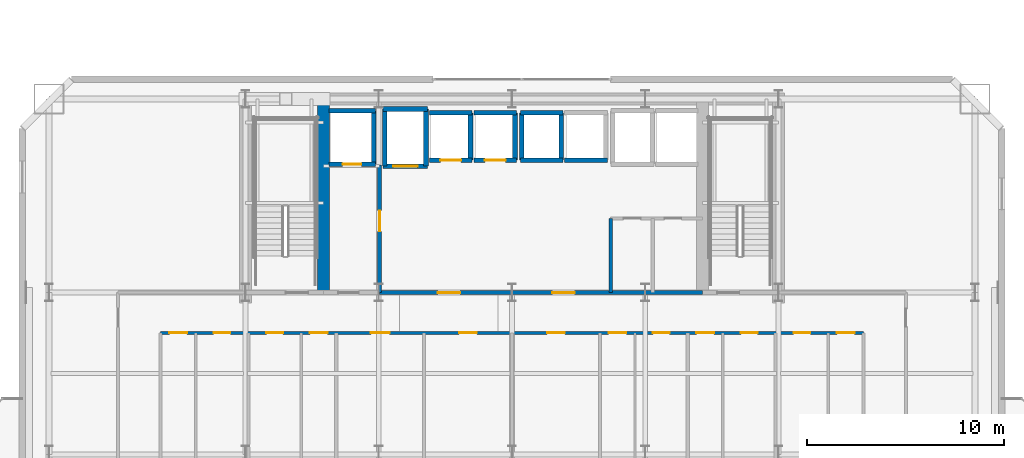
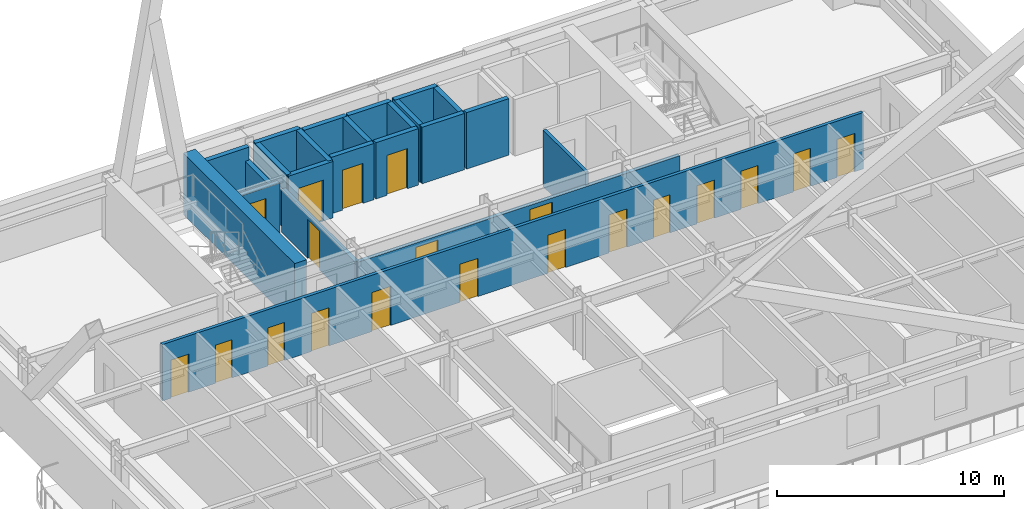
# One storey, part 11 of 22: 23 walls, 20 doors, 20 openings.
"""IFC4 building model written with IfcOpenShell, lengths in metres."""

import ifcopenshell
import ifcopenshell.guid

model = None  # the IFC model being written
_history = None  # IfcOwnerHistory: only IFC2X3 demands one
_inside = {}  # id of a spatial element -> (the spatial element, [elements in it])
_under = {}  # id of a project, library or spatial element -> (it, [spatial elements below it])
_declared = {}  # id of a project -> (the project, [libraries it declares])
_typed = {}  # id of a type object -> (the type object, [elements of that type])
_made_of = {}  # id of a material, layer set ... -> (it, [elements and type objects made of it])


def new_model(schema):
    """Start an empty IFC model of exactly this schema.

    Asked for "IFC4X3", IfcOpenShell would pick the latest addendum, in which some entities
    have other attributes; the version numbers below select the first issue.
    IFC2X3 requires an IfcOwnerHistory on every rooted entity: one is made here for all.
    """
    global model, _history
    if schema == "IFC4X3":
        model = ifcopenshell.file(schema_version=(4, 3, 0, 0))
    else:
        model = ifcopenshell.file(schema=schema)
    _inside.clear()
    _under.clear()
    _declared.clear()
    _typed.clear()
    _made_of.clear()
    _history = None
    if model.schema == "IFC2X3":
        org = make("IfcOrganization", Name="unknown")
        user = make(
            "IfcPersonAndOrganization",
            ThePerson=make("IfcPerson", FamilyName="unknown"),
            TheOrganization=org,
        )
        app = make(
            "IfcApplication",
            ApplicationDeveloper=org,
            Version="unknown",
            ApplicationFullName="unknown",
            ApplicationIdentifier="unknown",
        )
        _history = make(
            "IfcOwnerHistory",
            OwningUser=user,
            OwningApplication=app,
            ChangeAction="ADDED",
            CreationDate=0,
        )
    return model


def make(cls, **values):
    """One entity of the class cls with the attributes given. An attribute that is None is left unset."""
    return model.create_entity(
        cls, **{name: value for name, value in values.items() if value is not None}
    )


def rooted(cls, **values):
    """An entity with a GlobalId (a new one), such as an element, a storey or a relation."""
    return make(cls, GlobalId=ifcopenshell.guid.new(), OwnerHistory=_history, **values)


def si_unit(unit_type, name, prefix=None):
    """IfcSIUnit, for example si_unit("LENGTHUNIT", "METRE", prefix="MILLI")."""
    return make("IfcSIUnit", UnitType=unit_type, Prefix=prefix, Name=name)


def assignment(units):
    """IfcUnitAssignment: the units of a project."""
    return None if units is None else make("IfcUnitAssignment", Units=units)


def point(xyz):
    """IfcCartesianPoint."""
    return None if xyz is None else make("IfcCartesianPoint", Coordinates=xyz)


def direction(xyz):
    """IfcDirection."""
    return None if xyz is None else make("IfcDirection", DirectionRatios=xyz)


def frame(location, z_axis=None, x_axis=None):
    """IfcAxis2Placement3D, a coordinate frame: its origin and axes. An axis left out is left unset."""
    return make(
        "IfcAxis2Placement3D",
        Location=point(location),
        Axis=direction(z_axis),
        RefDirection=direction(x_axis),
    )


def frame_2d(location, x_axis=None):
    """IfcAxis2Placement2D, a coordinate frame in the plane: its origin and x axis."""
    return make(
        "IfcAxis2Placement2D", Location=point(location), RefDirection=direction(x_axis)
    )


def origin():
    """The frame at (0, 0, 0) with its axes left unset."""
    return frame((0.0, 0.0, 0.0))


def place(relative_to, where):
    """IfcLocalPlacement: puts the frame where relative to a parent placement (None: the world)."""
    return make(
        "IfcLocalPlacement", PlacementRelTo=relative_to, RelativePlacement=where
    )


def context(
    kind, dimensions, precision=None, world=None, true_north=None, identifier=None
):
    """IfcGeometricRepresentationContext, for example the 3D "Model" context."""
    return make(
        "IfcGeometricRepresentationContext",
        ContextIdentifier=identifier,
        ContextType=kind,
        CoordinateSpaceDimension=dimensions,
        Precision=precision,
        WorldCoordinateSystem=world,
        TrueNorth=true_north,
    )


def subcontext(parent, identifier, kind, view, scale=None):
    """IfcGeometricRepresentationSubContext, for example "Body" below "Model"."""
    return make(
        "IfcGeometricRepresentationSubContext",
        ContextIdentifier=identifier,
        ContextType=kind,
        ParentContext=parent,
        TargetScale=scale,
        TargetView=view,
    )


def project(units=None, contexts=None):
    """IfcProject with its units and contexts."""
    return rooted(
        "IfcProject",
        Name="project",
        RepresentationContexts=contexts,
        UnitsInContext=assignment(units),
    )


def spatial(cls, under=None, at=None, **own):
    """A site, building, storey or space (cls), placed at a placement, below another one or the project."""
    s = rooted(cls, ObjectPlacement=at, **own)
    if under is not None:
        _under.setdefault(under.id(), (under, []))[1].append(s)
    return s


def profile(cls, at=None, kind="AREA", **sizes):
    """A parametric profile (cls). Its sizes go by their IFC names, for example OverallWidth=200.0."""
    return make(cls, ProfileType=kind, Position=at, **sizes)


def rectangle(**sizes):
    """IfcRectangleProfileDef."""
    return profile("IfcRectangleProfileDef", **sizes)


def extrude(swept, where, along, depth):
    """IfcExtrudedAreaSolid: the profile swept, set in the frame where, extruded along a direction by depth."""
    return make(
        "IfcExtrudedAreaSolid",
        SweptArea=swept,
        Position=where,
        ExtrudedDirection=direction(along),
        Depth=depth,
    )


def shape(context_of_items, identifier, shape_type, items):
    """IfcShapeRepresentation: the items that make up one representation, for example the "Body"."""
    return make(
        "IfcShapeRepresentation",
        ContextOfItems=context_of_items,
        RepresentationIdentifier=identifier,
        RepresentationType=shape_type,
        Items=items,
    )


def material(Name=None, Category=None):
    """IfcMaterial."""
    return make("IfcMaterial", Name=Name, Category=Category)


def layer(
    of_material, thickness, ventilated=None, Name=None, Category=None, Priority=None
):
    """IfcMaterialLayer: one layer of a wall or slab, of a material (None: an air gap)."""
    return make(
        "IfcMaterialLayer",
        Material=of_material,
        LayerThickness=thickness,
        IsVentilated=ventilated,
        Name=Name,
        Category=Category,
        Priority=Priority,
    )


def layer_set(layers, Name=None):
    """IfcMaterialLayerSet."""
    return make("IfcMaterialLayerSet", MaterialLayers=layers, LayerSetName=Name)


def made_of(thing, what):
    """Note that an element or type object is made of a material, layer set ...; save() writes the relation."""
    if what is not None:
        _made_of.setdefault(what.id(), (what, []))[1].append(thing)
    return thing


def type_object(cls, material=None, **own):
    """A type object (cls), such as IfcWallType, which elements share."""
    return made_of(rooted(cls, **own), material)


def element(
    cls,
    number,
    at=None,
    inside=None,
    cuts=None,
    type_object=None,
    material=None,
    context=None,
    identifier="Body",
    shape_type=None,
    held_by="IfcProductDefinitionShape",
    body=None,
    shapes=None,
    **own,
):
    """One element of the class cls, such as IfcWall. Its Tag is "e" and its number.

    at: its placement. inside: the storey or other place that contains it. cuts: it is an
    opening in that element (IfcRelVoidsElement). A single representation is given by context,
    identifier, shape_type and body (its items); several are given by shapes. held_by: the class
    of the entity that holds the representations. save() writes the other relations.
    """
    e = rooted(cls, Tag="e%d" % number, ObjectPlacement=at, **own)
    if body is not None:
        shapes = [shape(context, identifier, shape_type, body)]
    if shapes is not None:
        e.Representation = make(held_by, Representations=shapes)
    if inside is not None:
        _inside.setdefault(inside.id(), (inside, []))[1].append(e)
    if cuts is not None:
        rooted(
            "IfcRelVoidsElement", RelatingBuildingElement=cuts, RelatedOpeningElement=e
        )
    if type_object is not None:
        _typed.setdefault(type_object.id(), (type_object, []))[1].append(e)
    return made_of(e, material)


def fill(opening, filler):
    """IfcRelFillsElement: the door or window that sits in an opening."""
    return rooted(
        "IfcRelFillsElement",
        RelatingOpeningElement=opening,
        RelatedBuildingElement=filler,
    )


def aggregate(whole, parts):
    """IfcRelAggregates: a whole, such as a stair, and the parts it consists of."""
    return rooted("IfcRelAggregates", RelatingObject=whole, RelatedObjects=parts)


def save(model, path):
    """Write the relations noted so far, then the file.

    IfcRelAggregates (storeys below a building ...), IfcRelContainedInSpatialStructure (elements
    in a storey), IfcRelDefinesByType, IfcRelAssociatesMaterial and IfcRelDeclares: one each for
    every whole, place, type object, material and project.
    """
    for whole, parts in _under.values():
        aggregate(whole, parts)
    for where, things in _inside.values():
        rooted(
            "IfcRelContainedInSpatialStructure",
            RelatedElements=things,
            RelatingStructure=where,
        )
    for kind, things in _typed.values():
        rooted("IfcRelDefinesByType", RelatedObjects=things, RelatingType=kind)
    for what, things in _made_of.values():
        rooted("IfcRelAssociatesMaterial", RelatedObjects=things, RelatingMaterial=what)
    for by, libraries in _declared.values():
        rooted("IfcRelDeclares", RelatingContext=by, RelatedDefinitions=libraries)
    model.write(path)


model = new_model("IFC4")

# Units and contexts
model_context = context("Model", 3, precision=1e-05, world=origin(), true_north=direction((0.0, 1.0)))
body_context = subcontext(model_context, "Body", "Model", "MODEL_VIEW")
ifc_project = project(units=[si_unit("LENGTHUNIT", "METRE"), si_unit("AREAUNIT", "SQUARE_METRE"), si_unit("VOLUMEUNIT", "CUBIC_METRE"), si_unit("PLANEANGLEUNIT", "RADIAN"), si_unit("MASSUNIT", "GRAM", prefix="KILO")], contexts=[model_context])

# Site, building, storey
site_placement = place(None, origin())
site = spatial("IfcSite", under=ifc_project, at=site_placement, CompositionType="ELEMENT")
building_placement = place(site_placement, origin())
building = spatial("IfcBuilding", under=site, at=building_placement, Name="Haevon Station Towers", CompositionType="ELEMENT")
storey_placement = place(building_placement, frame((0.0, 0.0, 70.199951171875)))
storey = spatial("IfcBuildingStorey", under=building, at=storey_placement, Name="L18", CompositionType="ELEMENT", Elevation=70.199951171875)

# Wall, opening, door
ifc_material_1 = material(Name="Gypsum board on steel stud", Category="steel")
ifc_layer_1 = layer(ifc_material_1, 0.199951171875)
ifc_layer_set_1 = layer_set([ifc_layer_1], Name="Gypsum board on steel stud")
wall_type_1 = type_object("IfcWallType", Name="WL-COR200", PredefinedType="PARTITIONING", material=ifc_layer_set_1)
wall_1_placement = place(storey_placement, frame((30.800048828125, 38.199951171875, 0.0), z_axis=(0.0, 0.0, 1.0), x_axis=(0.0, 1.0, 0.0)))
wall_1 = element("IfcWall", 1, at=wall_1_placement, inside=storey, type_object=wall_type_1, Name="WL-T1FFL-L18-E", PredefinedType="PARTITIONING", context=body_context, shape_type="SweptSolid", body=[
    extrude(rectangle(XDim=6.449951171875, YDim=0.199951171875, at=frame_2d((3.22509765625, 0.0))), origin(), (0.0, 0.0, 1.0), 2.330078125),
])
opening_1_placement = place(wall_1_placement, frame((3.10009765625, 0.0, 0.0)))
opening_1 = element("IfcOpeningElement", 2, at=opening_1_placement, cuts=wall_1, Name="Opening DR-T1FFL-L18-E", PredefinedType="OPENING", context=body_context, shape_type="SweptSolid", body=[
    extrude(rectangle(XDim=1.050048828125, YDim=2.10009765625, at=frame_2d((0.52490234375, 1.050048828125))), frame((0.0, 0.10986328125, 0.0), z_axis=(0.0, -1.0, 0.0), x_axis=(1.0, 0.0, 0.0)), (0.0, 0.0, 1.0), 0.219970703125),
])
ifc_material_2 = material(Name="Engineered oak timber", Category="wood")
door_type_1 = type_object("IfcDoorType", Name="DR-FD60-1050", OperationType="NOTDEFINED", PredefinedType="DOOR", material=ifc_material_2)
door_1_placement = place(opening_1_placement, origin())
door_1 = element("IfcDoor", 3, at=door_1_placement, inside=storey, type_object=door_type_1, Name="L18 Tower 1 Firefighting Lift Lobby Door E", OperationType="SINGLE_SWING_RIGHT", OverallHeight=2.10009765625, OverallWidth=1.050048828125, PredefinedType="DOOR", context=body_context, shape_type="SweptSolid", body=[
    extrude(rectangle(XDim=1.050048828125, YDim=2.10009765625, at=frame_2d((0.52490234375, 1.050048828125))), frame((0.0, 0.02490234375, 0.0), z_axis=(0.0, -1.0, 0.0), x_axis=(1.0, 0.0, 0.0)), (0.0, 0.0, 1.0), 0.050048828125),
])
fill(opening_1, door_1)

# Wall, openings, doors
wall_2_placement = place(storey_placement, frame((30.800048828125, 38.199951171875, 0.0), z_axis=(0.0, 0.0, 1.0), x_axis=(1.0, 0.0, 0.0)))
wall_2 = element("IfcWall", 4, at=wall_2_placement, inside=storey, type_object=wall_type_1, Name="WL-T1CLB-L18", PredefinedType="PARTITIONING", context=body_context, shape_type="SweptSolid", body=[
    extrude(rectangle(XDim=16.349853515625, YDim=0.199951171875, at=frame_2d((8.1748046875, 0.0))), origin(), (0.0, 0.0, 1.0), 2.330078125),
])
opening_2_placement = place(wall_2_placement, frame((2.949951171875, 0.0, 0.0)))
opening_2 = element("IfcOpeningElement", 5, at=opening_2_placement, cuts=wall_2, Name="Opening DR-T1CLB-L18-1", PredefinedType="OPENING", context=body_context, shape_type="SweptSolid", body=[
    extrude(rectangle(XDim=1.1201171875, YDim=2.10009765625, at=frame_2d((0.56005859375, 1.050048828125))), frame((0.0, 0.10986328125, 0.0), z_axis=(0.0, -1.0, 0.0), x_axis=(1.0, 0.0, 0.0)), (0.0, 0.0, 1.0), 0.219970703125),
])
opening_3_placement = place(wall_2_placement, frame((8.75, 0.0, 0.0)))
opening_3 = element("IfcOpeningElement", 6, at=opening_3_placement, cuts=wall_2, Name="Opening DR-T1CLB-L18-2", PredefinedType="OPENING", context=body_context, shape_type="SweptSolid", body=[
    extrude(rectangle(XDim=1.1201171875, YDim=2.10009765625, at=frame_2d((0.56005859375, 1.050048828125))), frame((0.0, 0.10986328125, 0.0), z_axis=(0.0, -1.0, 0.0), x_axis=(1.0, 0.0, 0.0)), (0.0, 0.0, 1.0), 0.219970703125),
])
door_type_2 = type_object("IfcDoorType", Name="DR-ST-1120", OperationType="NOTDEFINED", PredefinedType="DOOR", material=ifc_material_2)
door_2_placement = place(opening_2_placement, origin())
door_2 = element("IfcDoor", 7, at=door_2_placement, inside=storey, type_object=door_type_2, Name="L18 Tower 1 Core Lift Lobby Door 1", OperationType="SINGLE_SWING_RIGHT", OverallHeight=2.10009765625, OverallWidth=1.1201171875, PredefinedType="DOOR", context=body_context, shape_type="SweptSolid", body=[
    extrude(rectangle(XDim=1.1201171875, YDim=2.10009765625, at=frame_2d((0.56005859375, 1.050048828125))), frame((0.0, 0.02490234375, 0.0), z_axis=(0.0, -1.0, 0.0), x_axis=(1.0, 0.0, 0.0)), (0.0, 0.0, 1.0), 0.050048828125),
])
fill(opening_2, door_2)
door_3_placement = place(opening_3_placement, origin())
door_3 = element("IfcDoor", 8, at=door_3_placement, inside=storey, type_object=door_type_2, Name="L18 Tower 1 Core Lift Lobby Door 2", OperationType="SINGLE_SWING_LEFT", OverallHeight=2.10009765625, OverallWidth=1.1201171875, PredefinedType="DOOR", context=body_context, shape_type="SweptSolid", body=[
    extrude(rectangle(XDim=1.1201171875, YDim=2.10009765625, at=frame_2d((0.56005859375, 1.050048828125))), frame((0.0, 0.02490234375, 0.0), z_axis=(0.0, -1.0, 0.0), x_axis=(1.0, 0.0, 0.0)), (0.0, 0.0, 1.0), 0.050048828125),
])
fill(opening_3, door_3)

# Walls
ifc_material_3 = material(Name="Concrete C60/75", Category="concrete")
ifc_layer_2 = layer(ifc_material_3, 0.60009765625)
ifc_layer_set_2 = layer_set([ifc_layer_2], Name="Concrete C60/75")
wall_type_2 = type_object("IfcWallType", Name="WL-CR600", PredefinedType="SHEAR", material=ifc_layer_set_2)
wall_3_placement = place(storey_placement, frame((27.949951171875, 38.199951171875, 0.0), z_axis=(0.0, 0.0, 1.0), x_axis=(0.0, 1.0, 0.0)))
element("IfcWall", 9, at=wall_3_placement, inside=storey, type_object=wall_type_2, Name="WL-T1CR-L18-M1", PredefinedType="SHEAR", context=body_context, shape_type="SweptSolid", body=[
    extrude(rectangle(XDim=9.800048828125, YDim=0.60009765625, at=frame_2d((4.89990234375, 0.0))), origin(), (0.0, 0.0, 1.0), 3.300048828125),
])
ifc_layer_3 = layer(ifc_material_1, 0.159912109375)
ifc_layer_set_3 = layer_set([ifc_layer_3], Name="Gypsum board on steel stud")
wall_type_3 = type_object("IfcWallType", Name="WL-PRT160", PredefinedType="PARTITIONING", material=ifc_layer_set_3)
wall_4_placement = place(storey_placement, frame((42.5, 38.199951171875, 0.0), z_axis=(0.0, 0.0, 1.0), x_axis=(0.0, 1.0, 0.0)))
element("IfcWall", 10, at=wall_4_placement, inside=storey, type_object=wall_type_3, Name="WL-T1CW-L18-01", PredefinedType="PARTITIONING", context=body_context, shape_type="SweptSolid", body=[
    extrude(rectangle(XDim=3.75, YDim=0.159912109375, at=frame_2d((1.875, 0.0))), origin(), (0.0, 0.0, 1.0), 3.030029296875),
])

# Wall, openings, doors
wall_5_placement = place(storey_placement, frame((19.699951171875, 36.14990234375, 0.0), z_axis=(0.0, 0.0, 1.0), x_axis=(1.0, 0.0, 0.0)))
wall_5 = element("IfcWall", 11, at=wall_5_placement, inside=storey, type_object=wall_type_3, Name="WL-T1PT-L18-30", PredefinedType="PARTITIONING", context=body_context, shape_type="SweptSolid", body=[
    extrude(rectangle(XDim=35.60009765625, YDim=0.159912109375, at=frame_2d((17.800048828125, 0.0))), origin(), (0.0, 0.0, 1.0), 3.030029296875),
])
opening_4_placement = place(wall_5_placement, frame((2.68994140625, 0.0, 0.0)))
opening_4 = element("IfcOpeningElement", 12, at=opening_4_placement, cuts=wall_5, Name="Opening DR-WL-T1PT-L18-30-01", PredefinedType="OPENING", context=body_context, shape_type="SweptSolid", body=[
    extrude(rectangle(XDim=0.85009765625, YDim=2.050048828125, at=frame_2d((0.425048828125, 1.02490234375))), frame((0.0, 0.08984375, 0.0), z_axis=(0.0, -1.0, 0.0), x_axis=(1.0, 0.0, 0.0)), (0.0, 0.0, 1.0), 0.179931640625),
])
opening_5_placement = place(wall_5_placement, frame((0.43994140625, 0.0, 0.0)))
opening_5 = element("IfcOpeningElement", 13, at=opening_5_placement, cuts=wall_5, Name="Opening DR-WL-T1PT-L18-30-02", PredefinedType="OPENING", context=body_context, shape_type="SweptSolid", body=[
    extrude(rectangle(XDim=0.89990234375, YDim=2.050048828125, at=frame_2d((0.449951171875, 1.02490234375))), frame((0.0, 0.08984375, 0.0), z_axis=(0.0, -1.0, 0.0), x_axis=(1.0, 0.0, 0.0)), (0.0, 0.0, 1.0), 0.179931640625),
])
opening_6_placement = place(wall_5_placement, frame((5.360107421875, 0.0, 0.0)))
opening_6 = element("IfcOpeningElement", 14, at=opening_6_placement, cuts=wall_5, Name="Opening DR-WL-T1PT-L18-30-03", PredefinedType="OPENING", context=body_context, shape_type="SweptSolid", body=[
    extrude(rectangle(XDim=0.85009765625, YDim=2.050048828125, at=frame_2d((0.425048828125, 1.02490234375))), frame((0.0, 0.08984375, 0.0), z_axis=(0.0, -1.0, 0.0), x_axis=(1.0, 0.0, 0.0)), (0.0, 0.0, 1.0), 0.179931640625),
])
opening_7_placement = place(wall_5_placement, frame((7.56005859375, 0.0, 0.0)))
opening_7 = element("IfcOpeningElement", 15, at=opening_7_placement, cuts=wall_5, Name="Opening DR-WL-T1PT-L18-30-04", PredefinedType="OPENING", context=body_context, shape_type="SweptSolid", body=[
    extrude(rectangle(XDim=0.89990234375, YDim=2.050048828125, at=frame_2d((0.449951171875, 1.02490234375))), frame((0.0, 0.08984375, 0.0), z_axis=(0.0, -1.0, 0.0), x_axis=(1.0, 0.0, 0.0)), (0.0, 0.0, 1.0), 0.179931640625),
])
opening_8_placement = place(wall_5_placement, frame((10.64990234375, 0.0, 0.0)))
opening_8 = element("IfcOpeningElement", 16, at=opening_8_placement, cuts=wall_5, Name="Opening DR-WL-T1PT-L18-30-05", PredefinedType="OPENING", context=body_context, shape_type="SweptSolid", body=[
    extrude(rectangle(XDim=0.949951171875, YDim=2.10009765625, at=frame_2d((0.47509765625, 1.050048828125))), frame((0.0, 0.08984375, 0.0), z_axis=(0.0, -1.0, 0.0), x_axis=(1.0, 0.0, 0.0)), (0.0, 0.0, 1.0), 0.179931640625),
])
opening_9_placement = place(wall_5_placement, frame((15.125, 0.0, 0.0)))
opening_9 = element("IfcOpeningElement", 17, at=opening_9_placement, cuts=wall_5, Name="Opening DR-WL-T1PT-L18-30-06", PredefinedType="OPENING", context=body_context, shape_type="SweptSolid", body=[
    extrude(rectangle(XDim=0.89990234375, YDim=2.050048828125, at=frame_2d((0.449951171875, 1.02490234375))), frame((0.0, 0.08984375, 0.0), z_axis=(0.0, -1.0, 0.0), x_axis=(1.0, 0.0, 0.0)), (0.0, 0.0, 1.0), 0.179931640625),
])
opening_10_placement = place(wall_5_placement, frame((19.574951171875, 0.0, 0.0)))
opening_10 = element("IfcOpeningElement", 18, at=opening_10_placement, cuts=wall_5, Name="Opening DR-WL-T1PT-L18-30-07", PredefinedType="OPENING", context=body_context, shape_type="SweptSolid", body=[
    extrude(rectangle(XDim=0.89990234375, YDim=2.050048828125, at=frame_2d((0.449951171875, 1.02490234375))), frame((0.0, 0.08984375, 0.0), z_axis=(0.0, -1.0, 0.0), x_axis=(1.0, 0.0, 0.0)), (0.0, 0.0, 1.0), 0.179931640625),
])
opening_11_placement = place(wall_5_placement, frame((24.93994140625, 0.0, 0.0)))
opening_11 = element("IfcOpeningElement", 19, at=opening_11_placement, cuts=wall_5, Name="Opening DR-WL-T1PT-L18-30-08", PredefinedType="OPENING", context=body_context, shape_type="SweptSolid", body=[
    extrude(rectangle(XDim=0.85009765625, YDim=2.050048828125, at=frame_2d((0.425048828125, 1.02490234375))), frame((0.0, 0.08984375, 0.0), z_axis=(0.0, -1.0, 0.0), x_axis=(1.0, 0.0, 0.0)), (0.0, 0.0, 1.0), 0.179931640625),
])
opening_12_placement = place(wall_5_placement, frame((22.68994140625, 0.0, 0.0)))
opening_12 = element("IfcOpeningElement", 20, at=opening_12_placement, cuts=wall_5, Name="Opening DR-WL-T1PT-L18-30-09", PredefinedType="OPENING", context=body_context, shape_type="SweptSolid", body=[
    extrude(rectangle(XDim=0.89990234375, YDim=2.050048828125, at=frame_2d((0.449951171875, 1.02490234375))), frame((0.0, 0.08984375, 0.0), z_axis=(0.0, -1.0, 0.0), x_axis=(1.0, 0.0, 0.0)), (0.0, 0.0, 1.0), 0.179931640625),
])
opening_13_placement = place(wall_5_placement, frame((29.389892578125, 0.0, 0.0)))
opening_13 = element("IfcOpeningElement", 21, at=opening_13_placement, cuts=wall_5, Name="Opening DR-WL-T1PT-L18-30-10", PredefinedType="OPENING", context=body_context, shape_type="SweptSolid", body=[
    extrude(rectangle(XDim=0.85009765625, YDim=2.050048828125, at=frame_2d((0.425048828125, 1.02490234375))), frame((0.0, 0.08984375, 0.0), z_axis=(0.0, -1.0, 0.0), x_axis=(1.0, 0.0, 0.0)), (0.0, 0.0, 1.0), 0.179931640625),
])
opening_14_placement = place(wall_5_placement, frame((27.139892578125, 0.0, 0.0)))
opening_14 = element("IfcOpeningElement", 22, at=opening_14_placement, cuts=wall_5, Name="Opening DR-WL-T1PT-L18-30-11", PredefinedType="OPENING", context=body_context, shape_type="SweptSolid", body=[
    extrude(rectangle(XDim=0.89990234375, YDim=2.050048828125, at=frame_2d((0.449951171875, 1.02490234375))), frame((0.0, 0.08984375, 0.0), z_axis=(0.0, -1.0, 0.0), x_axis=(1.0, 0.0, 0.0)), (0.0, 0.0, 1.0), 0.179931640625),
])
opening_15_placement = place(wall_5_placement, frame((32.06005859375, 0.0, 0.0)))
opening_15 = element("IfcOpeningElement", 23, at=opening_15_placement, cuts=wall_5, Name="Opening DR-WL-T1PT-L18-30-12", PredefinedType="OPENING", context=body_context, shape_type="SweptSolid", body=[
    extrude(rectangle(XDim=0.85009765625, YDim=2.050048828125, at=frame_2d((0.425048828125, 1.02490234375))), frame((0.0, 0.08984375, 0.0), z_axis=(0.0, -1.0, 0.0), x_axis=(1.0, 0.0, 0.0)), (0.0, 0.0, 1.0), 0.179931640625),
])
opening_16_placement = place(wall_5_placement, frame((34.260009765625, 0.0, 0.0)))
opening_16 = element("IfcOpeningElement", 24, at=opening_16_placement, cuts=wall_5, Name="Opening DR-WL-T1PT-L18-30-13", PredefinedType="OPENING", context=body_context, shape_type="SweptSolid", body=[
    extrude(rectangle(XDim=0.89990234375, YDim=2.050048828125, at=frame_2d((0.449951171875, 1.02490234375))), frame((0.0, 0.08984375, 0.0), z_axis=(0.0, -1.0, 0.0), x_axis=(1.0, 0.0, 0.0)), (0.0, 0.0, 1.0), 0.179931640625),
])
door_type_3 = type_object("IfcDoorType", Name="DR-FD30-850", OperationType="NOTDEFINED", PredefinedType="DOOR", material=ifc_material_2)
door_4_placement = place(opening_4_placement, origin())
door_4 = element("IfcDoor", 25, at=door_4_placement, inside=storey, type_object=door_type_3, Name="L18 Tower 1 Room Door 30-1", OperationType="SINGLE_SWING_RIGHT", OverallHeight=2.050048828125, OverallWidth=0.85009765625, PredefinedType="DOOR", context=body_context, shape_type="SweptSolid", body=[
    extrude(rectangle(XDim=0.85009765625, YDim=2.050048828125, at=frame_2d((0.425048828125, 1.02490234375))), frame((0.0, 0.02490234375, 0.0), z_axis=(0.0, -1.0, 0.0), x_axis=(1.0, 0.0, 0.0)), (0.0, 0.0, 1.0), 0.050048828125),
])
fill(opening_4, door_4)
door_5_placement = place(opening_6_placement, origin())
door_5 = element("IfcDoor", 26, at=door_5_placement, inside=storey, type_object=door_type_3, Name="L18 Tower 1 Room Door 30-3", OperationType="SINGLE_SWING_RIGHT", OverallHeight=2.050048828125, OverallWidth=0.85009765625, PredefinedType="DOOR", context=body_context, shape_type="SweptSolid", body=[
    extrude(rectangle(XDim=0.85009765625, YDim=2.050048828125, at=frame_2d((0.425048828125, 1.02490234375))), frame((0.0, 0.02490234375, 0.0), z_axis=(0.0, -1.0, 0.0), x_axis=(1.0, 0.0, 0.0)), (0.0, 0.0, 1.0), 0.050048828125),
])
fill(opening_6, door_5)
door_6_placement = place(opening_11_placement, origin())
door_6 = element("IfcDoor", 27, at=door_6_placement, inside=storey, type_object=door_type_3, Name="L18 Tower 1 Room Door 30-8", OperationType="SINGLE_SWING_LEFT", OverallHeight=2.050048828125, OverallWidth=0.85009765625, PredefinedType="DOOR", context=body_context, shape_type="SweptSolid", body=[
    extrude(rectangle(XDim=0.85009765625, YDim=2.050048828125, at=frame_2d((0.425048828125, 1.02490234375))), frame((0.0, 0.02490234375, 0.0), z_axis=(0.0, -1.0, 0.0), x_axis=(1.0, 0.0, 0.0)), (0.0, 0.0, 1.0), 0.050048828125),
])
fill(opening_11, door_6)
door_7_placement = place(opening_13_placement, origin())
door_7 = element("IfcDoor", 28, at=door_7_placement, inside=storey, type_object=door_type_3, Name="L18 Tower 1 Room Door 30-10", OperationType="SINGLE_SWING_LEFT", OverallHeight=2.050048828125, OverallWidth=0.85009765625, PredefinedType="DOOR", context=body_context, shape_type="SweptSolid", body=[
    extrude(rectangle(XDim=0.85009765625, YDim=2.050048828125, at=frame_2d((0.425048828125, 1.02490234375))), frame((0.0, 0.02490234375, 0.0), z_axis=(0.0, -1.0, 0.0), x_axis=(1.0, 0.0, 0.0)), (0.0, 0.0, 1.0), 0.050048828125),
])
fill(opening_13, door_7)
door_8_placement = place(opening_15_placement, origin())
door_8 = element("IfcDoor", 29, at=door_8_placement, inside=storey, type_object=door_type_3, Name="L18 Tower 1 Room Door 30-12", OperationType="SINGLE_SWING_LEFT", OverallHeight=2.050048828125, OverallWidth=0.85009765625, PredefinedType="DOOR", context=body_context, shape_type="SweptSolid", body=[
    extrude(rectangle(XDim=0.85009765625, YDim=2.050048828125, at=frame_2d((0.425048828125, 1.02490234375))), frame((0.0, 0.02490234375, 0.0), z_axis=(0.0, -1.0, 0.0), x_axis=(1.0, 0.0, 0.0)), (0.0, 0.0, 1.0), 0.050048828125),
])
fill(opening_15, door_8)
door_type_4 = type_object("IfcDoorType", Name="DR-FD30-950", OperationType="NOTDEFINED", PredefinedType="DOOR", material=ifc_material_2)
door_9_placement = place(opening_8_placement, origin())
door_9 = element("IfcDoor", 30, at=door_9_placement, inside=storey, type_object=door_type_4, Name="L18 Tower 1 Room Door 30-5", OperationType="SINGLE_SWING_RIGHT", OverallHeight=2.10009765625, OverallWidth=0.949951171875, PredefinedType="DOOR", context=body_context, shape_type="SweptSolid", body=[
    extrude(rectangle(XDim=0.949951171875, YDim=2.10009765625, at=frame_2d((0.47509765625, 1.050048828125))), frame((0.0, 0.02490234375, 0.0), z_axis=(0.0, -1.0, 0.0), x_axis=(1.0, 0.0, 0.0)), (0.0, 0.0, 1.0), 0.050048828125),
])
fill(opening_8, door_9)
door_type_5 = type_object("IfcDoorType", Name="DR-INT-900", OperationType="NOTDEFINED", PredefinedType="DOOR", material=ifc_material_2)
door_10_placement = place(opening_5_placement, origin())
door_10 = element("IfcDoor", 31, at=door_10_placement, inside=storey, type_object=door_type_5, Name="L18 Tower 1 Room Door 30-2", OperationType="SINGLE_SWING_LEFT", OverallHeight=2.050048828125, OverallWidth=0.89990234375, PredefinedType="DOOR", context=body_context, shape_type="SweptSolid", body=[
    extrude(rectangle(XDim=0.89990234375, YDim=2.050048828125, at=frame_2d((0.449951171875, 1.02490234375))), frame((0.0, 0.02490234375, 0.0), z_axis=(0.0, -1.0, 0.0), x_axis=(1.0, 0.0, 0.0)), (0.0, 0.0, 1.0), 0.050048828125),
])
fill(opening_5, door_10)
door_11_placement = place(opening_7_placement, origin())
door_11 = element("IfcDoor", 32, at=door_11_placement, inside=storey, type_object=door_type_5, Name="L18 Tower 1 Room Door 30-4", OperationType="SINGLE_SWING_LEFT", OverallHeight=2.050048828125, OverallWidth=0.89990234375, PredefinedType="DOOR", context=body_context, shape_type="SweptSolid", body=[
    extrude(rectangle(XDim=0.89990234375, YDim=2.050048828125, at=frame_2d((0.449951171875, 1.02490234375))), frame((0.0, 0.02490234375, 0.0), z_axis=(0.0, -1.0, 0.0), x_axis=(1.0, 0.0, 0.0)), (0.0, 0.0, 1.0), 0.050048828125),
])
fill(opening_7, door_11)
door_12_placement = place(opening_9_placement, origin())
door_12 = element("IfcDoor", 33, at=door_12_placement, inside=storey, type_object=door_type_5, Name="L18 Tower 1 Room Door 30-6", OperationType="SINGLE_SWING_LEFT", OverallHeight=2.050048828125, OverallWidth=0.89990234375, PredefinedType="DOOR", context=body_context, shape_type="SweptSolid", body=[
    extrude(rectangle(XDim=0.89990234375, YDim=2.050048828125, at=frame_2d((0.449951171875, 1.02490234375))), frame((0.0, 0.02490234375, 0.0), z_axis=(0.0, -1.0, 0.0), x_axis=(1.0, 0.0, 0.0)), (0.0, 0.0, 1.0), 0.050048828125),
])
fill(opening_9, door_12)
door_13_placement = place(opening_10_placement, origin())
door_13 = element("IfcDoor", 34, at=door_13_placement, inside=storey, type_object=door_type_5, Name="L18 Tower 1 Room Door 30-7", OperationType="SINGLE_SWING_RIGHT", OverallHeight=2.050048828125, OverallWidth=0.89990234375, PredefinedType="DOOR", context=body_context, shape_type="SweptSolid", body=[
    extrude(rectangle(XDim=0.89990234375, YDim=2.050048828125, at=frame_2d((0.449951171875, 1.02490234375))), frame((0.0, 0.02490234375, 0.0), z_axis=(0.0, -1.0, 0.0), x_axis=(1.0, 0.0, 0.0)), (0.0, 0.0, 1.0), 0.050048828125),
])
fill(opening_10, door_13)
door_14_placement = place(opening_12_placement, origin())
door_14 = element("IfcDoor", 35, at=door_14_placement, inside=storey, type_object=door_type_5, Name="L18 Tower 1 Room Door 30-9", OperationType="SINGLE_SWING_RIGHT", OverallHeight=2.050048828125, OverallWidth=0.89990234375, PredefinedType="DOOR", context=body_context, shape_type="SweptSolid", body=[
    extrude(rectangle(XDim=0.89990234375, YDim=2.050048828125, at=frame_2d((0.449951171875, 1.02490234375))), frame((0.0, 0.02490234375, 0.0), z_axis=(0.0, -1.0, 0.0), x_axis=(1.0, 0.0, 0.0)), (0.0, 0.0, 1.0), 0.050048828125),
])
fill(opening_12, door_14)
door_15_placement = place(opening_14_placement, origin())
door_15 = element("IfcDoor", 36, at=door_15_placement, inside=storey, type_object=door_type_5, Name="L18 Tower 1 Room Door 30-11", OperationType="SINGLE_SWING_RIGHT", OverallHeight=2.050048828125, OverallWidth=0.89990234375, PredefinedType="DOOR", context=body_context, shape_type="SweptSolid", body=[
    extrude(rectangle(XDim=0.89990234375, YDim=2.050048828125, at=frame_2d((0.449951171875, 1.02490234375))), frame((0.0, 0.02490234375, 0.0), z_axis=(0.0, -1.0, 0.0), x_axis=(1.0, 0.0, 0.0)), (0.0, 0.0, 1.0), 0.050048828125),
])
fill(opening_14, door_15)
door_16_placement = place(opening_16_placement, origin())
door_16 = element("IfcDoor", 37, at=door_16_placement, inside=storey, type_object=door_type_5, Name="L18 Tower 1 Room Door 30-13", OperationType="SINGLE_SWING_RIGHT", OverallHeight=2.050048828125, OverallWidth=0.89990234375, PredefinedType="DOOR", context=body_context, shape_type="SweptSolid", body=[
    extrude(rectangle(XDim=0.89990234375, YDim=2.050048828125, at=frame_2d((0.449951171875, 1.02490234375))), frame((0.0, 0.02490234375, 0.0), z_axis=(0.0, -1.0, 0.0), x_axis=(1.0, 0.0, 0.0)), (0.0, 0.0, 1.0), 0.050048828125),
])
fill(opening_16, door_16)

# Wall, opening, door
ifc_material_4 = material(Name="Concrete C40/50", Category="concrete")
ifc_layer_4 = layer(ifc_material_4, 0.239990234375)
ifc_layer_set_4 = layer_set([ifc_layer_4], Name="Concrete C40/50")
wall_type_4 = type_object("IfcWallType", Name="WL-SHF240", PredefinedType="PARTITIONING", material=ifc_layer_set_4)
wall_6_placement = place(storey_placement, frame((28.219970703125, 44.699951171875, 0.0), z_axis=(0.0, 0.0, 1.0), x_axis=(1.0, 0.0, 0.0)))
wall_6 = element("IfcWall", 38, at=wall_6_placement, inside=storey, type_object=wall_type_4, Name="WL-SHF-FL1-L18", PredefinedType="PARTITIONING", context=body_context, shape_type="SweptSolid", body=[
    extrude(rectangle(XDim=2.360107421875, YDim=0.239990234375, at=frame_2d((1.18017578125, 0.0))), origin(), (0.0, 0.0, 1.0), 2.72998046875),
])
opening_17_placement = place(wall_6_placement, frame((0.705078125, 0.0, 0.0)))
opening_17 = element("IfcOpeningElement", 39, at=opening_17_placement, cuts=wall_6, Name="Opening LD-FL1-L18", PredefinedType="OPENING", context=body_context, shape_type="SweptSolid", body=[
    extrude(rectangle(XDim=0.949951171875, YDim=2.14990234375, at=frame_2d((0.47509765625, 1.074951171875))), frame((0.0, 0.1298828125, 0.0), z_axis=(0.0, -1.0, 0.0), x_axis=(1.0, 0.0, 0.0)), (0.0, 0.0, 1.0), 0.260009765625),
])
ifc_material_5 = material(Name="Stainless steel and rated core", Category="steel")
door_type_6 = type_object("IfcDoorType", Name="LD-FL950", OperationType="SLIDING_TO_LEFT", PredefinedType="DOOR", material=ifc_material_5)
door_17_placement = place(opening_17_placement, origin())
door_17 = element("IfcDoor", 40, at=door_17_placement, inside=storey, type_object=door_type_6, Name="L18 Lift FL1 Sliding Landing Door", OperationType="SLIDING_TO_LEFT", OverallHeight=2.14990234375, OverallWidth=0.949951171875, PredefinedType="DOOR", context=body_context, shape_type="SweptSolid", body=[
    extrude(rectangle(XDim=0.949951171875, YDim=2.14990234375, at=frame_2d((0.47509765625, 1.074951171875))), frame((0.0, 0.02490234375, 0.0), z_axis=(0.0, -1.0, 0.0), x_axis=(1.0, 0.0, 0.0)), (0.0, 0.0, 1.0), 0.050048828125),
])
fill(opening_17, door_17)

# Walls
wall_7_placement = place(storey_placement, frame((28.219970703125, 47.39990234375, 0.0), z_axis=(0.0, 0.0, 1.0), x_axis=(1.0, 0.0, 0.0)))
element("IfcWall", 41, at=wall_7_placement, inside=storey, type_object=wall_type_4, Name="WL-SHF-FL1-L18-N", PredefinedType="PARTITIONING", context=body_context, shape_type="SweptSolid", body=[
    extrude(rectangle(XDim=2.360107421875, YDim=0.239990234375, at=frame_2d((1.18017578125, 0.0))), origin(), (0.0, 0.0, 1.0), 3.030029296875),
])
wall_8_placement = place(storey_placement, frame((30.5, 44.699951171875, 0.0), z_axis=(0.0, 0.0, 1.0), x_axis=(0.0, 1.0, 0.0)))
element("IfcWall", 42, at=wall_8_placement, inside=storey, type_object=wall_type_4, Name="WL-SHF-FL1-L18-E", PredefinedType="PARTITIONING", context=body_context, shape_type="SweptSolid", body=[
    extrude(rectangle(XDim=2.699951171875, YDim=0.239990234375, at=frame_2d((1.35009765625, 0.0))), origin(), (0.0, 0.0, 1.0), 2.330078125),
])

# Wall, opening, door
wall_9_placement = place(storey_placement, frame((30.969970703125, 44.60009765625, 0.0), z_axis=(0.0, 0.0, 1.0), x_axis=(1.0, 0.0, 0.0)))
wall_9 = element("IfcWall", 43, at=wall_9_placement, inside=storey, type_object=wall_type_4, Name="WL-SHF-SL1-L18", PredefinedType="PARTITIONING", context=body_context, shape_type="SweptSolid", body=[
    extrude(rectangle(XDim=2.260009765625, YDim=0.239990234375, at=frame_2d((1.1298828125, 0.0))), origin(), (0.0, 0.0, 1.0), 3.030029296875),
])
opening_18_placement = place(wall_9_placement, frame((0.5048828125, 0.0, 0.0)))
opening_18 = element("IfcOpeningElement", 44, at=opening_18_placement, cuts=wall_9, Name="Opening LD-SL1-L18", PredefinedType="OPENING", context=body_context, shape_type="SweptSolid", body=[
    extrude(rectangle(XDim=1.25, YDim=2.199951171875, at=frame_2d((0.625, 1.10009765625))), frame((0.0, 0.1298828125, 0.0), z_axis=(0.0, -1.0, 0.0), x_axis=(1.0, 0.0, 0.0)), (0.0, 0.0, 1.0), 0.260009765625),
])
door_type_7 = type_object("IfcDoorType", Name="LD-SL1250", OperationType="SLIDING_TO_LEFT", PredefinedType="DOOR", material=ifc_material_5)
door_18_placement = place(opening_18_placement, origin())
door_18 = element("IfcDoor", 45, at=door_18_placement, inside=storey, type_object=door_type_7, Name="L18 Lift SL1 Sliding Landing Door", OperationType="SLIDING_TO_LEFT", OverallHeight=2.199951171875, OverallWidth=1.25, PredefinedType="DOOR", context=body_context, shape_type="SweptSolid", body=[
    extrude(rectangle(XDim=1.25, YDim=2.199951171875, at=frame_2d((0.625, 1.10009765625))), frame((0.0, 0.02490234375, 0.0), z_axis=(0.0, -1.0, 0.0), x_axis=(1.0, 0.0, 0.0)), (0.0, 0.0, 1.0), 0.050048828125),
])
fill(opening_18, door_18)

# Walls
wall_10_placement = place(storey_placement, frame((30.969970703125, 47.5, 0.0), z_axis=(0.0, 0.0, 1.0), x_axis=(1.0, 0.0, 0.0)))
element("IfcWall", 46, at=wall_10_placement, inside=storey, type_object=wall_type_4, Name="WL-SHF-SL1-L18-N", PredefinedType="PARTITIONING", context=body_context, shape_type="SweptSolid", body=[
    extrude(rectangle(XDim=2.260009765625, YDim=0.239990234375, at=frame_2d((1.1298828125, 0.0))), origin(), (0.0, 0.0, 1.0), 3.030029296875),
])
for number, where, z_axis, x_axis, name in (
    (47, (31.050048828125, 44.60009765625, 0.0), (0.0, 0.0, 1.0), (0.0, 1.0, 0.0), "WL-SHF-SL1-L18-W"),
    (48, (33.14990234375, 44.60009765625, 0.0), (0.0, 0.0, 1.0), (0.0, 1.0, 0.0), "WL-SHF-SL1-L18-E"),
):
    element("IfcWall", number, at=place(storey_placement, frame(where, z_axis=z_axis, x_axis=x_axis)), inside=storey, type_object=wall_type_4, Name=name, PredefinedType="PARTITIONING", context=body_context, shape_type="SweptSolid", body=[
        extrude(rectangle(XDim=2.89990234375, YDim=0.239990234375, at=frame_2d((1.449951171875, 0.0))), origin(), (0.0, 0.0, 1.0), 3.030029296875),
    ])

# Wall, opening, door
wall_11_placement = place(storey_placement, frame((33.320068359375, 44.89990234375, 0.0), z_axis=(0.0, 0.0, 1.0), x_axis=(1.0, 0.0, 0.0)))
wall_11 = element("IfcWall", 49, at=wall_11_placement, inside=storey, type_object=wall_type_4, Name="WL-SHF-PL1-L18", PredefinedType="PARTITIONING", context=body_context, shape_type="SweptSolid", body=[
    extrude(rectangle(XDim=2.159912109375, YDim=0.239990234375, at=frame_2d((1.080078125, 0.0))), origin(), (0.0, 0.0, 1.0), 3.030029296875),
])
opening_19_placement = place(wall_11_placement, frame((0.554931640625, 0.0, 0.0)))
opening_19 = element("IfcOpeningElement", 50, at=opening_19_placement, cuts=wall_11, Name="Opening LD-PL1-L18", PredefinedType="OPENING", context=body_context, shape_type="SweptSolid", body=[
    extrude(rectangle(XDim=1.050048828125, YDim=2.14990234375, at=frame_2d((0.52490234375, 1.074951171875))), frame((0.0, 0.1298828125, 0.0), z_axis=(0.0, -1.0, 0.0), x_axis=(1.0, 0.0, 0.0)), (0.0, 0.0, 1.0), 0.260009765625),
])
door_type_8 = type_object("IfcDoorType", Name="LD-PL1050", OperationType="SLIDING_TO_LEFT", PredefinedType="DOOR", material=ifc_material_5)
door_19_placement = place(opening_19_placement, origin())
door_19 = element("IfcDoor", 51, at=door_19_placement, inside=storey, type_object=door_type_8, Name="L18 Lift PL1 Sliding Landing Door", OperationType="SLIDING_TO_LEFT", OverallHeight=2.14990234375, OverallWidth=1.050048828125, PredefinedType="DOOR", context=body_context, shape_type="SweptSolid", body=[
    extrude(rectangle(XDim=1.050048828125, YDim=2.14990234375, at=frame_2d((0.52490234375, 1.074951171875))), frame((0.0, 0.02490234375, 0.0), z_axis=(0.0, -1.0, 0.0), x_axis=(1.0, 0.0, 0.0)), (0.0, 0.0, 1.0), 0.050048828125),
])
fill(opening_19, door_19)

# Walls
wall_12_placement = place(storey_placement, frame((33.320068359375, 47.300048828125, 0.0), z_axis=(0.0, 0.0, 1.0), x_axis=(1.0, 0.0, 0.0)))
element("IfcWall", 52, at=wall_12_placement, inside=storey, type_object=wall_type_4, Name="WL-SHF-PL1-L18-N", PredefinedType="PARTITIONING", context=body_context, shape_type="SweptSolid", body=[
    extrude(rectangle(XDim=2.159912109375, YDim=0.239990234375, at=frame_2d((1.080078125, 0.0))), origin(), (0.0, 0.0, 1.0), 3.030029296875),
])
wall_13_placement = place(storey_placement, frame((35.39990234375, 44.89990234375, 0.0), z_axis=(0.0, 0.0, 1.0), x_axis=(0.0, 1.0, 0.0)))
element("IfcWall", 53, at=wall_13_placement, inside=storey, type_object=wall_type_4, Name="WL-SHF-PL1-L18-E", PredefinedType="PARTITIONING", context=body_context, shape_type="SweptSolid", body=[
    extrude(rectangle(XDim=2.400146484375, YDim=0.239990234375, at=frame_2d((1.2001953125, 0.0))), origin(), (0.0, 0.0, 1.0), 3.030029296875),
])

# Wall, opening, door
wall_14_placement = place(storey_placement, frame((35.570068359375, 44.89990234375, 0.0), z_axis=(0.0, 0.0, 1.0), x_axis=(1.0, 0.0, 0.0)))
wall_14 = element("IfcWall", 54, at=wall_14_placement, inside=storey, type_object=wall_type_4, Name="WL-SHF-PL2-L18", PredefinedType="PARTITIONING", context=body_context, shape_type="SweptSolid", body=[
    extrude(rectangle(XDim=2.159912109375, YDim=0.239990234375, at=frame_2d((1.080078125, 0.0))), origin(), (0.0, 0.0, 1.0), 3.030029296875),
])
opening_20_placement = place(wall_14_placement, frame((0.554931640625, 0.0, 0.0)))
opening_20 = element("IfcOpeningElement", 55, at=opening_20_placement, cuts=wall_14, Name="Opening LD-PL2-L18", PredefinedType="OPENING", context=body_context, shape_type="SweptSolid", body=[
    extrude(rectangle(XDim=1.050048828125, YDim=2.14990234375, at=frame_2d((0.52490234375, 1.074951171875))), frame((0.0, 0.1298828125, 0.0), z_axis=(0.0, -1.0, 0.0), x_axis=(1.0, 0.0, 0.0)), (0.0, 0.0, 1.0), 0.260009765625),
])
door_20_placement = place(opening_20_placement, origin())
door_20 = element("IfcDoor", 56, at=door_20_placement, inside=storey, type_object=door_type_8, Name="L18 Lift PL2 Sliding Landing Door", OperationType="SLIDING_TO_LEFT", OverallHeight=2.14990234375, OverallWidth=1.050048828125, PredefinedType="DOOR", context=body_context, shape_type="SweptSolid", body=[
    extrude(rectangle(XDim=1.050048828125, YDim=2.14990234375, at=frame_2d((0.52490234375, 1.074951171875))), frame((0.0, 0.02490234375, 0.0), z_axis=(0.0, -1.0, 0.0), x_axis=(1.0, 0.0, 0.0)), (0.0, 0.0, 1.0), 0.050048828125),
])
fill(opening_20, door_20)

# Walls
wall_15_placement = place(storey_placement, frame((35.570068359375, 47.300048828125, 0.0), z_axis=(0.0, 0.0, 1.0), x_axis=(1.0, 0.0, 0.0)))
element("IfcWall", 57, at=wall_15_placement, inside=storey, type_object=wall_type_4, Name="WL-SHF-PL2-L18-N", PredefinedType="PARTITIONING", context=body_context, shape_type="SweptSolid", body=[
    extrude(rectangle(XDim=2.159912109375, YDim=0.239990234375, at=frame_2d((1.080078125, 0.0))), origin(), (0.0, 0.0, 1.0), 3.030029296875),
])
wall_16_placement = place(storey_placement, frame((37.64990234375, 44.89990234375, 0.0), z_axis=(0.0, 0.0, 1.0), x_axis=(0.0, 1.0, 0.0)))
element("IfcWall", 58, at=wall_16_placement, inside=storey, type_object=wall_type_4, Name="WL-SHF-PL2-L18-E", PredefinedType="PARTITIONING", context=body_context, shape_type="SweptSolid", body=[
    extrude(rectangle(XDim=2.400146484375, YDim=0.239990234375, at=frame_2d((1.2001953125, 0.0))), origin(), (0.0, 0.0, 1.0), 3.030029296875),
])
for number, where, z_axis, x_axis, name in (
    (59, (37.919921875, 44.89990234375, 0.0), (0.0, 0.0, 1.0), (1.0, 0.0, 0.0), "WL-SHF-PL3-L18"),
    (60, (37.919921875, 47.300048828125, 0.0), (0.0, 0.0, 1.0), (1.0, 0.0, 0.0), "WL-SHF-PL3-L18-N"),
):
    element("IfcWall", number, at=place(storey_placement, frame(where, z_axis=z_axis, x_axis=x_axis)), inside=storey, type_object=wall_type_4, Name=name, PredefinedType="PARTITIONING", context=body_context, shape_type="SweptSolid", body=[
        extrude(rectangle(XDim=2.16015625, YDim=0.239990234375, at=frame_2d((1.080078125, 0.0))), origin(), (0.0, 0.0, 1.0), 3.030029296875),
    ])
for number, where, z_axis, x_axis, name in (
    (61, (38.0, 44.89990234375, 0.0), (0.0, 0.0, 1.0), (0.0, 1.0, 0.0), "WL-SHF-PL3-L18-W"),
    (62, (40.0, 44.89990234375, 0.0), (0.0, 0.0, 1.0), (0.0, 1.0, 0.0), "WL-SHF-PL3-L18-E"),
):
    element("IfcWall", number, at=place(storey_placement, frame(where, z_axis=z_axis, x_axis=x_axis)), inside=storey, type_object=wall_type_4, Name=name, PredefinedType="PARTITIONING", context=body_context, shape_type="SweptSolid", body=[
        extrude(rectangle(XDim=2.400146484375, YDim=0.239990234375, at=frame_2d((1.2001953125, 0.0))), origin(), (0.0, 0.0, 1.0), 3.030029296875),
    ])
wall_17_placement = place(storey_placement, frame((40.169921875, 44.89990234375, 0.0), z_axis=(0.0, 0.0, 1.0), x_axis=(1.0, 0.0, 0.0)))
element("IfcWall", 63, at=wall_17_placement, inside=storey, type_object=wall_type_4, Name="WL-SHF-PL4-L18", PredefinedType="PARTITIONING", context=body_context, shape_type="SweptSolid", body=[
    extrude(rectangle(XDim=2.16015625, YDim=0.239990234375, at=frame_2d((1.080078125, 0.0))), origin(), (0.0, 0.0, 1.0), 3.030029296875),
])

save(model, "model.ifc")
